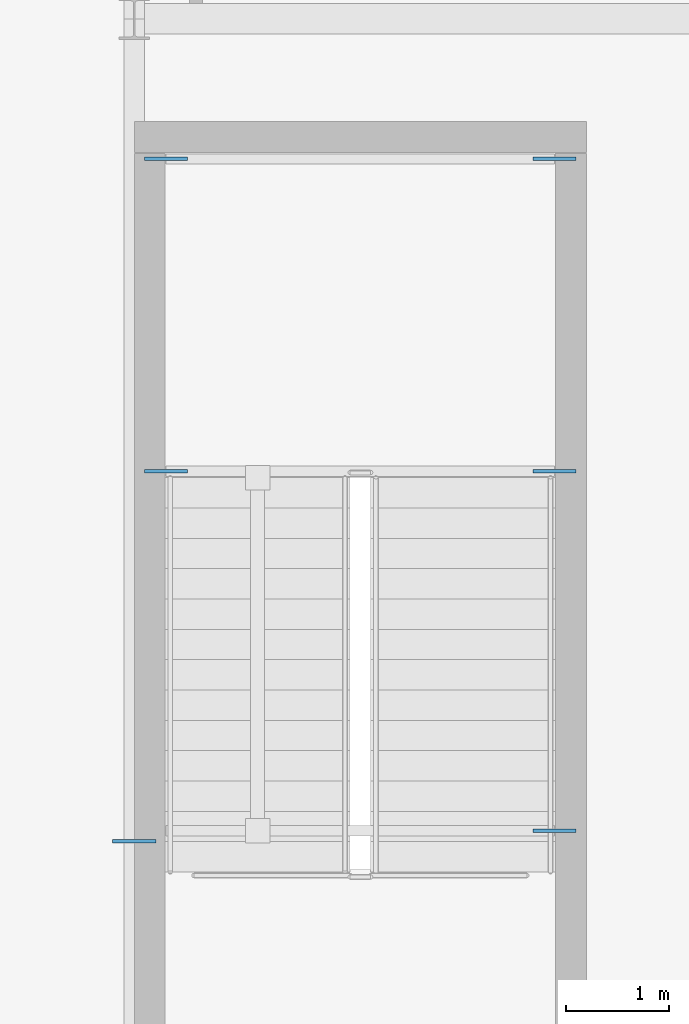
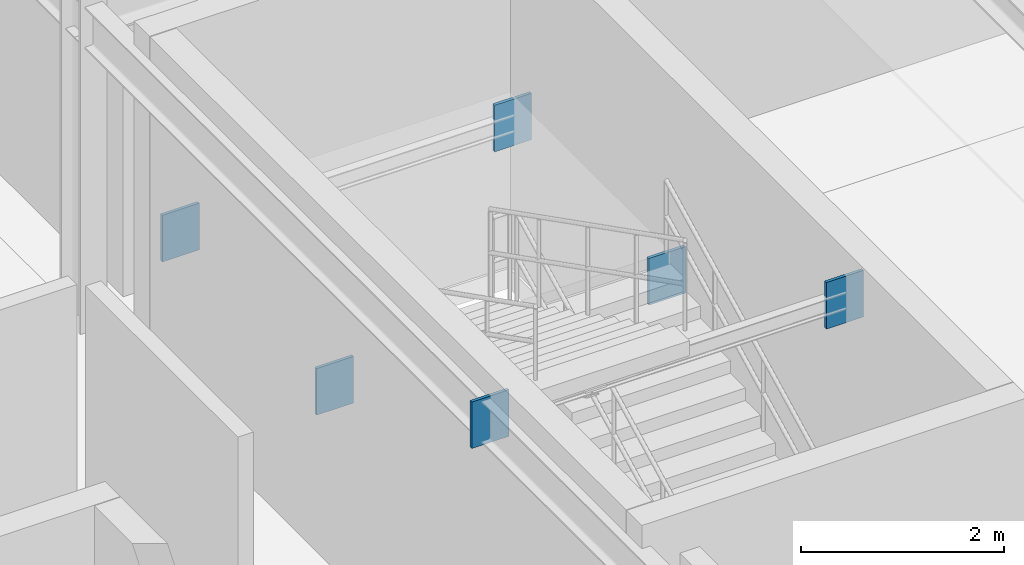
# One storey, part 35 of 67: 6 plates.
"""IFC4 building model written with IfcOpenShell, lengths in metres."""

from ifc_helpers import new_model, si_unit, direction, frame, origin, origin_2d, place, context, subcontext, project, spatial, rectangle, extrude, material, layer, layer_set, type_object, element, save


model = new_model("IFC4")

# Units and contexts
model_context = context("Model", 3, precision=1e-05, world=origin(), true_north=direction((0.0, 1.0)))
body_context = subcontext(model_context, "Body", "Model", "MODEL_VIEW")
ifc_project = project(units=[si_unit("LENGTHUNIT", "METRE"), si_unit("AREAUNIT", "SQUARE_METRE"), si_unit("VOLUMEUNIT", "CUBIC_METRE"), si_unit("PLANEANGLEUNIT", "RADIAN"), si_unit("MASSUNIT", "GRAM", prefix="KILO")], contexts=[model_context])

# Site, building, storey
site_placement = place(None, origin())
site = spatial("IfcSite", under=ifc_project, at=site_placement, CompositionType="ELEMENT")
building_placement = place(site_placement, origin())
building = spatial("IfcBuilding", under=site, at=building_placement, Name="Sundkrona Museum", CompositionType="ELEMENT")
storey_placement = place(building_placement, frame((0.0, 0.0, 21.800048828125)))
storey = spatial("IfcBuildingStorey", under=building, at=storey_placement, Name="L04", CompositionType="ELEMENT", Elevation=21.800048828125)

# Plates
ifc_material = material(Name="Steel S355J2", Category="steel")
ifc_layer = layer(ifc_material, 0.034912109375)
ifc_layer_set = layer_set([ifc_layer], Name="Steel S355J2")
plate_type = type_object("IfcPlateType", Name="EP-1", PredefinedType="USERDEFINED", material=ifc_layer_set)
for number, where, z_axis, x_axis, name in (
    (1, (120.0, 8.0, 3.389892578125), (0.0, 0.0, 1.0), (1.0, 0.0, 0.0), "Core Wall Cast-In Embed Plate BM-L04-Y-1738-2"),
    (2, (120.31005859375, 11.598388671875, 1.5), (0.0, 0.0, 1.0), (1.0, 0.0, 0.0), "Core Wall Cast-In Embed Plate BM-STLD-ST-2-L04-1A-1"),
    (3, (124.090087890625, 11.598388671875, 1.5), (0.0, 0.0, 1.0), (1.0, 0.0, 0.0), "Core Wall Cast-In Embed Plate BM-STLD-ST-2-L04-1A-2"),
    (4, (120.31005859375, 14.63671875, 1.5), (0.0, 0.0, 1.0), (1.0, 0.0, 0.0), "Core Wall Cast-In Embed Plate BM-STLD-ST-2-L04-1B-1"),
    (5, (124.090087890625, 14.63671875, 1.5), (0.0, 0.0, 1.0), (1.0, 0.0, 0.0), "Core Wall Cast-In Embed Plate BM-STLD-ST-2-L04-1B-2"),
    (6, (124.090087890625, 8.10009765625, 3.33349609375), (0.0, 0.0, 1.0), (1.0, 0.0, 0.0), "Core Wall Cast-In Embed Plate BM-STHD-ST-2-L04-2-2"),
):
    element("IfcPlate", number, at=place(storey_placement, frame(where, z_axis=z_axis, x_axis=x_axis)), inside=storey, type_object=plate_type, Name=name, ObjectType="GUSSET PLATE", PredefinedType="USERDEFINED", context=body_context, shape_type="SweptSolid", body=[
        extrude(rectangle(XDim=0.419921875, YDim=0.034912109375, at=origin_2d()), origin(), (0.0, 0.0, 1.0), 0.56005859375),
    ])

save(model, "model.ifc")
